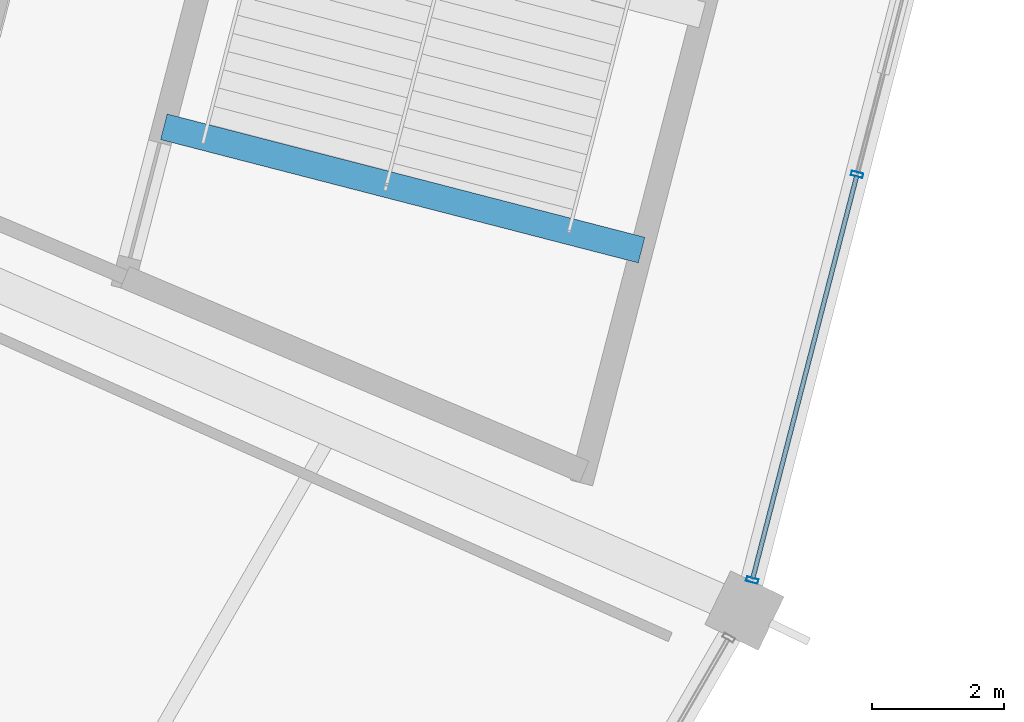
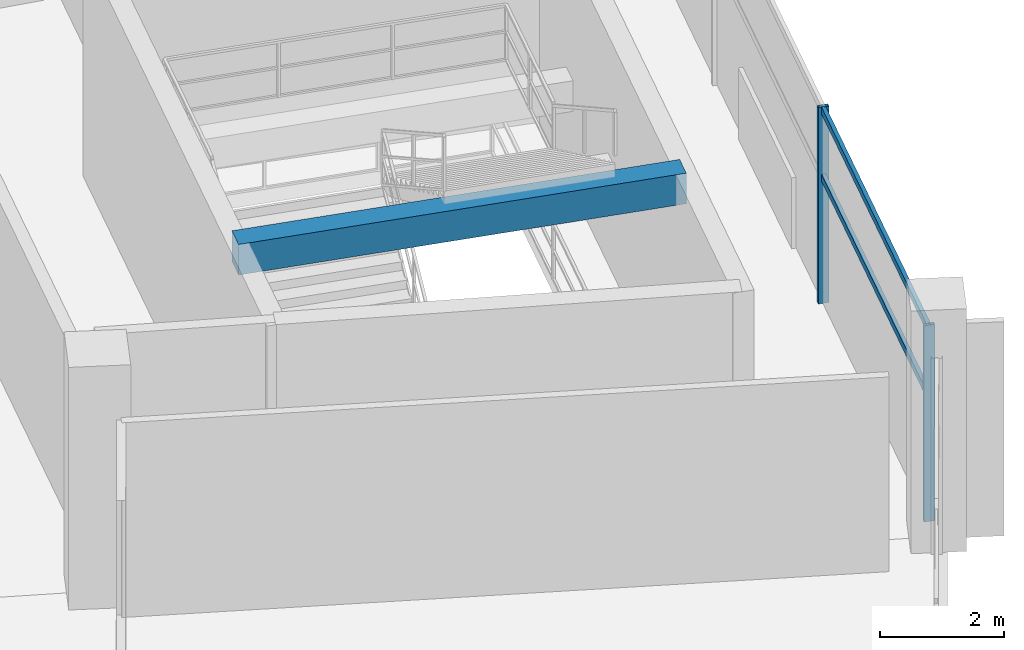
# One storey, part 55 of 156: 4 members, 1 beam, 1 element without a shape of its own.
"""IFC4 building model written with IfcOpenShell, lengths in metres."""

from ifc_helpers import new_model, si_unit, direction, frame, origin, origin_2d, place, context, subcontext, project, spatial, rectangle, hollow_rectangle, extrude, material, layer, layer_set, material_profile, profile_set, type_object, element, aggregate, save


model = new_model("IFC4")

# Units and contexts
model_context = context("Model", 3, precision=1e-05, world=origin(), true_north=direction((0.0, 1.0)))
body_context = subcontext(model_context, "Body", "Model", "MODEL_VIEW")
ifc_project = project(units=[si_unit("LENGTHUNIT", "METRE"), si_unit("AREAUNIT", "SQUARE_METRE"), si_unit("VOLUMEUNIT", "CUBIC_METRE"), si_unit("PLANEANGLEUNIT", "RADIAN"), si_unit("MASSUNIT", "GRAM", prefix="KILO")], contexts=[model_context])

# Site, building, storey
site_placement = place(None, origin())
site = spatial("IfcSite", under=ifc_project, at=site_placement, CompositionType="ELEMENT")
building_placement = place(site_placement, origin())
building = spatial("IfcBuilding", under=site, at=building_placement, Name="Kazemori Nagisa Stadium", CompositionType="ELEMENT")
storey_placement = place(building_placement, frame((0.0, 0.0, 5.780029296875)))
storey = spatial("IfcBuildingStorey", under=building, at=storey_placement, Name="L01", CompositionType="ELEMENT", Elevation=5.780029296875)

# Beam
ifc_material_1 = material(Name="Concrete C40/50 (Fc42)", Category="concrete")
ifc_material_profile_1 = material_profile(ifc_material_1, rectangle(XDim=0.39990234375, YDim=0.60009765625, at=origin_2d()), Name="RC-BM-400x600")
ifc_profile_set_1 = profile_set([ifc_material_profile_1], Name="Concrete C40/50 (Fc42)")
beam_type = type_object("IfcBeamType", Name="Beam_BG-LND400X600", PredefinedType="BEAM", material=ifc_profile_set_1)
beam_placement = place(storey_placement, frame((203.095703125, 70.57470703125, 4.199951171875), z_axis=(0.968252570883, -0.249973916595, 0.0), x_axis=(0.249973916595, 0.968252570883, 0.0)))
element("IfcBeam", 1, at=beam_placement, inside=storey, type_object=beam_type, Name="Core stair arrival header girder ST10-L01", PredefinedType="BEAM", context=body_context, shape_type="SweptSolid", body=[
    extrude(rectangle(XDim=0.39990234375, YDim=0.60009765625, at=origin_2d()), origin(), (0.0, 0.0, 1.0), 7.468505859375),
])

# Curtain wall, members
ifc_material_2 = material(Name="Anodised aluminium 6063-T5", Category="aluminium")
ifc_layer = layer(ifc_material_2, 0.179931640625, Name="Anodised aluminium 6063-T5", Category="aluminium")
ifc_layer_set = layer_set([ifc_layer], Name="Anodised aluminium 6063-T5")
curtain_wall_type = type_object("IfcCurtainWallType", Name="CW_L01R3_96", PredefinedType="USERDEFINED", material=ifc_layer_set)
curtain_wall_placement = place(storey_placement, origin())
curtain_wall = element("IfcCurtainWall", 2, at=curtain_wall_placement, inside=storey, type_object=curtain_wall_type, Name="Unitised curtain wall CW-L01R3-96 L01", ObjectType="UNITISED CURTAIN WALL", PredefinedType="USERDEFINED")
ifc_material_3 = material(Name="Aluminium 6063-T5 anodised", Category="aluminium")
ifc_material_profile_2 = material_profile(ifc_material_3, hollow_rectangle(XDim=0.070068359375, YDim=0.179931640625, WallThickness=0.00390625, at=origin_2d()), Name="ALU-MULL-70x180x4")
ifc_profile_set_2 = profile_set([ifc_material_profile_2], Name="Aluminium 6063-T5 anodised")
member_type_1 = type_object("IfcMemberType", Name="Mullion_M01", PredefinedType="MULLION", material=ifc_profile_set_2)
member_1_placement = place(storey_placement, frame((212.003662109375, 63.71044921875, 0.0), z_axis=(0.0, 0.0, 1.0), x_axis=(0.249964642418, 0.968254965152, 0.0)))
member_1 = element("IfcMember", 3, at=member_1_placement, type_object=member_type_1, Name="Curtain wall mullion CW-L01R3-96-M1", PredefinedType="MULLION", context=body_context, shape_type="SweptSolid", body=[
    extrude(hollow_rectangle(XDim=0.070068359375, YDim=0.179931640625, WallThickness=0.00390625, at=origin_2d()), origin(), (0.0, 0.0, 1.0), 3.849853515625),
])
member_2_placement = place(storey_placement, frame((213.58984375, 69.8544921875, 0.0), z_axis=(0.0, 0.0, 1.0), x_axis=(0.249964642418, 0.968254965152, 0.0)))
member_2 = element("IfcMember", 4, at=member_2_placement, type_object=member_type_1, Name="Curtain wall mullion CW-L01R3-96-M2", PredefinedType="MULLION", context=body_context, shape_type="SweptSolid", body=[
    extrude(hollow_rectangle(XDim=0.070068359375, YDim=0.179931640625, WallThickness=0.00390625, at=origin_2d()), origin(), (0.0, 0.0, 1.0), 3.849853515625),
])
ifc_material_profile_3 = material_profile(ifc_material_3, hollow_rectangle(XDim=0.070068359375, YDim=0.139892578125, WallThickness=0.00390625, at=origin_2d()), Name="ALU-TRAN-70x140x4")
ifc_profile_set_3 = profile_set([ifc_material_profile_3], Name="Aluminium 6063-T5 anodised")
member_type_2 = type_object("IfcMemberType", Name="Transom_T01", PredefinedType="USERDEFINED", material=ifc_profile_set_3)
member_3_placement = place(storey_placement, frame((212.008544921875, 63.729736328125, 2.4638671875), z_axis=(0.249971699633, 0.968253143234, 0.0), x_axis=(-0.968253143234, 0.249971699633, 0.0)))
member_3 = element("IfcMember", 5, at=member_3_placement, type_object=member_type_2, Name="Curtain wall transom CW-L01R3-96-T1-mid", ObjectType="TRANSOM", PredefinedType="USERDEFINED", context=body_context, shape_type="SweptSolid", body=[
    extrude(hollow_rectangle(XDim=0.070068359375, YDim=0.139892578125, WallThickness=0.00390625, at=origin_2d()), origin(), (0.0, 0.0, 1.0), 6.305419921875),
])
member_4_placement = place(storey_placement, frame((212.008544921875, 63.729736328125, 3.780029296875), z_axis=(0.249971699633, 0.968253143234, 0.0), x_axis=(-0.968253143234, 0.249971699633, 0.0)))
member_4 = element("IfcMember", 6, at=member_4_placement, type_object=member_type_2, Name="Curtain wall transom CW-L01R3-96-T1-head", ObjectType="TRANSOM", PredefinedType="USERDEFINED", context=body_context, shape_type="SweptSolid", body=[
    extrude(hollow_rectangle(XDim=0.070068359375, YDim=0.139892578125, WallThickness=0.00390625, at=origin_2d()), origin(), (0.0, 0.0, 1.0), 6.305419921875),
])
aggregate(curtain_wall, [member_1, member_2, member_3, member_4])

save(model, "model.ifc")
